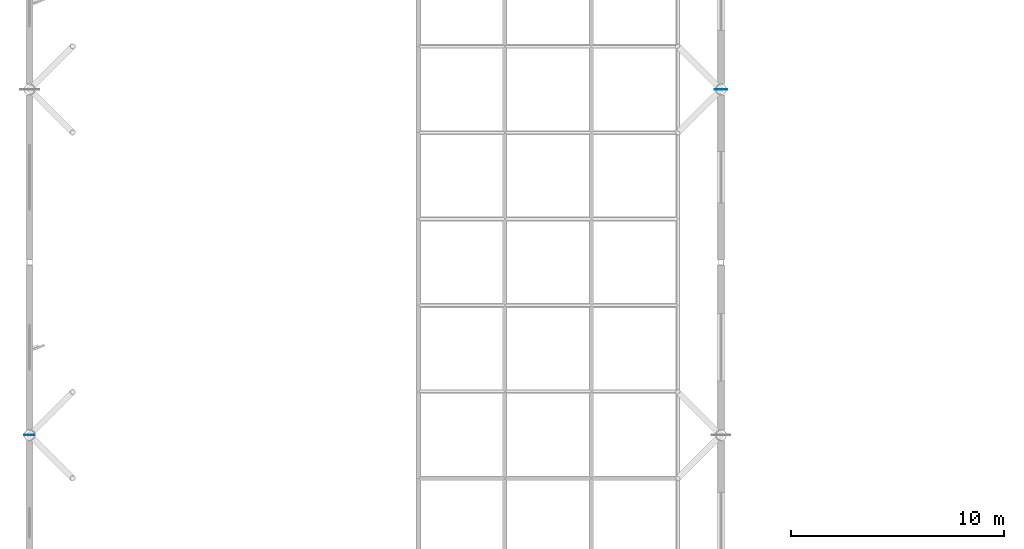
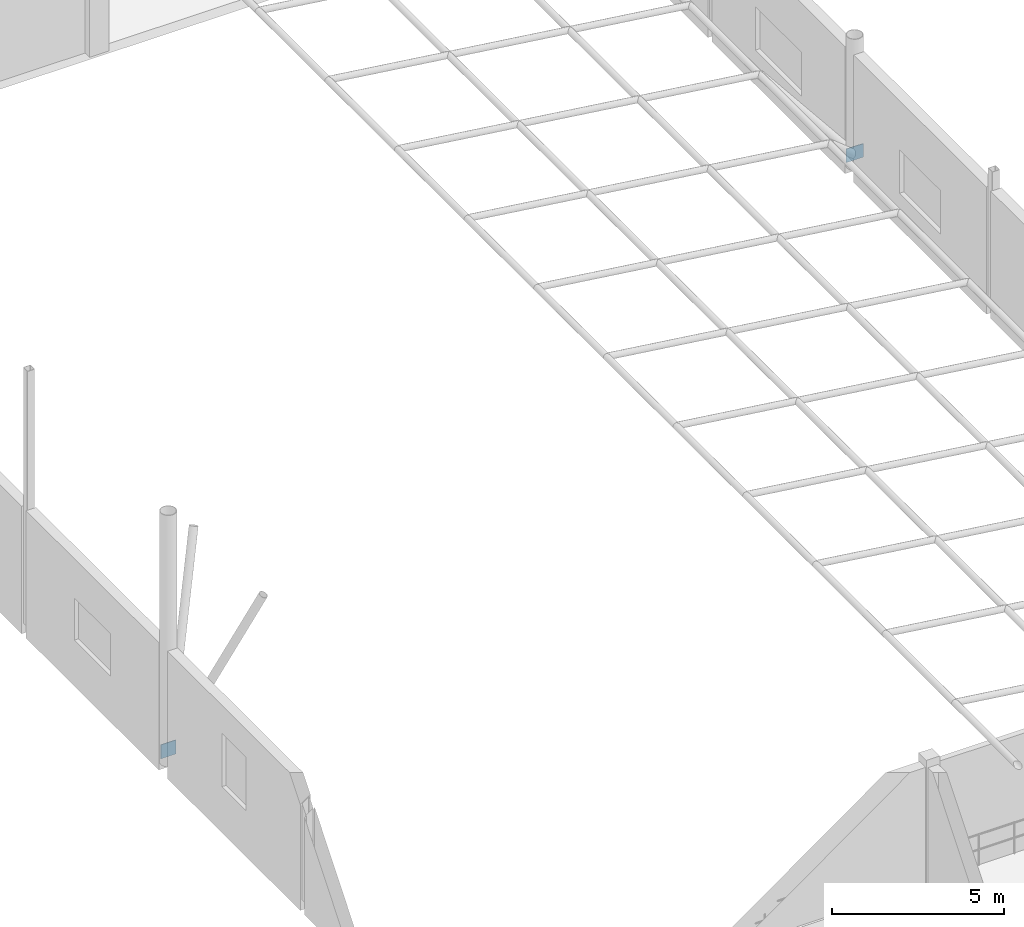
# One storey, part 61 of 89: 2 plates.
"""IFC4 building model written with IfcOpenShell, lengths in metres."""

import ifcopenshell
import ifcopenshell.guid

model = None  # the IFC model being written
_history = None  # IfcOwnerHistory: only IFC2X3 demands one
_inside = {}  # id of a spatial element -> (the spatial element, [elements in it])
_under = {}  # id of a project, library or spatial element -> (it, [spatial elements below it])
_declared = {}  # id of a project -> (the project, [libraries it declares])
_typed = {}  # id of a type object -> (the type object, [elements of that type])
_made_of = {}  # id of a material, layer set ... -> (it, [elements and type objects made of it])


def new_model(schema):
    """Start an empty IFC model of exactly this schema.

    Asked for "IFC4X3", IfcOpenShell would pick the latest addendum, in which some entities
    have other attributes; the version numbers below select the first issue.
    IFC2X3 requires an IfcOwnerHistory on every rooted entity: one is made here for all.
    """
    global model, _history
    if schema == "IFC4X3":
        model = ifcopenshell.file(schema_version=(4, 3, 0, 0))
    else:
        model = ifcopenshell.file(schema=schema)
    _inside.clear()
    _under.clear()
    _declared.clear()
    _typed.clear()
    _made_of.clear()
    _history = None
    if model.schema == "IFC2X3":
        org = make("IfcOrganization", Name="unknown")
        user = make(
            "IfcPersonAndOrganization",
            ThePerson=make("IfcPerson", FamilyName="unknown"),
            TheOrganization=org,
        )
        app = make(
            "IfcApplication",
            ApplicationDeveloper=org,
            Version="unknown",
            ApplicationFullName="unknown",
            ApplicationIdentifier="unknown",
        )
        _history = make(
            "IfcOwnerHistory",
            OwningUser=user,
            OwningApplication=app,
            ChangeAction="ADDED",
            CreationDate=0,
        )
    return model


def make(cls, **values):
    """One entity of the class cls with the attributes given. An attribute that is None is left unset."""
    return model.create_entity(
        cls, **{name: value for name, value in values.items() if value is not None}
    )


def rooted(cls, **values):
    """An entity with a GlobalId (a new one), such as an element, a storey or a relation."""
    return make(cls, GlobalId=ifcopenshell.guid.new(), OwnerHistory=_history, **values)


def si_unit(unit_type, name, prefix=None):
    """IfcSIUnit, for example si_unit("LENGTHUNIT", "METRE", prefix="MILLI")."""
    return make("IfcSIUnit", UnitType=unit_type, Prefix=prefix, Name=name)


def assignment(units):
    """IfcUnitAssignment: the units of a project."""
    return None if units is None else make("IfcUnitAssignment", Units=units)


def point(xyz):
    """IfcCartesianPoint."""
    return None if xyz is None else make("IfcCartesianPoint", Coordinates=xyz)


def direction(xyz):
    """IfcDirection."""
    return None if xyz is None else make("IfcDirection", DirectionRatios=xyz)


def frame(location, z_axis=None, x_axis=None):
    """IfcAxis2Placement3D, a coordinate frame: its origin and axes. An axis left out is left unset."""
    return make(
        "IfcAxis2Placement3D",
        Location=point(location),
        Axis=direction(z_axis),
        RefDirection=direction(x_axis),
    )


def frame_2d(location, x_axis=None):
    """IfcAxis2Placement2D, a coordinate frame in the plane: its origin and x axis."""
    return make(
        "IfcAxis2Placement2D", Location=point(location), RefDirection=direction(x_axis)
    )


def origin():
    """The frame at (0, 0, 0) with its axes left unset."""
    return frame((0.0, 0.0, 0.0))


def origin_2d():
    """The frame at (0, 0) in the plane with its x axis left unset."""
    return frame_2d((0.0, 0.0))


def place(relative_to, where):
    """IfcLocalPlacement: puts the frame where relative to a parent placement (None: the world)."""
    return make(
        "IfcLocalPlacement", PlacementRelTo=relative_to, RelativePlacement=where
    )


def context(
    kind, dimensions, precision=None, world=None, true_north=None, identifier=None
):
    """IfcGeometricRepresentationContext, for example the 3D "Model" context."""
    return make(
        "IfcGeometricRepresentationContext",
        ContextIdentifier=identifier,
        ContextType=kind,
        CoordinateSpaceDimension=dimensions,
        Precision=precision,
        WorldCoordinateSystem=world,
        TrueNorth=true_north,
    )


def subcontext(parent, identifier, kind, view, scale=None):
    """IfcGeometricRepresentationSubContext, for example "Body" below "Model"."""
    return make(
        "IfcGeometricRepresentationSubContext",
        ContextIdentifier=identifier,
        ContextType=kind,
        ParentContext=parent,
        TargetScale=scale,
        TargetView=view,
    )


def project(units=None, contexts=None):
    """IfcProject with its units and contexts."""
    return rooted(
        "IfcProject",
        Name="project",
        RepresentationContexts=contexts,
        UnitsInContext=assignment(units),
    )


def spatial(cls, under=None, at=None, **own):
    """A site, building, storey or space (cls), placed at a placement, below another one or the project."""
    s = rooted(cls, ObjectPlacement=at, **own)
    if under is not None:
        _under.setdefault(under.id(), (under, []))[1].append(s)
    return s


def profile(cls, at=None, kind="AREA", **sizes):
    """A parametric profile (cls). Its sizes go by their IFC names, for example OverallWidth=200.0."""
    return make(cls, ProfileType=kind, Position=at, **sizes)


def rectangle(**sizes):
    """IfcRectangleProfileDef."""
    return profile("IfcRectangleProfileDef", **sizes)


def extrude(swept, where, along, depth):
    """IfcExtrudedAreaSolid: the profile swept, set in the frame where, extruded along a direction by depth."""
    return make(
        "IfcExtrudedAreaSolid",
        SweptArea=swept,
        Position=where,
        ExtrudedDirection=direction(along),
        Depth=depth,
    )


def shape(context_of_items, identifier, shape_type, items):
    """IfcShapeRepresentation: the items that make up one representation, for example the "Body"."""
    return make(
        "IfcShapeRepresentation",
        ContextOfItems=context_of_items,
        RepresentationIdentifier=identifier,
        RepresentationType=shape_type,
        Items=items,
    )


def material(Name=None, Category=None):
    """IfcMaterial."""
    return make("IfcMaterial", Name=Name, Category=Category)


def layer(
    of_material, thickness, ventilated=None, Name=None, Category=None, Priority=None
):
    """IfcMaterialLayer: one layer of a wall or slab, of a material (None: an air gap)."""
    return make(
        "IfcMaterialLayer",
        Material=of_material,
        LayerThickness=thickness,
        IsVentilated=ventilated,
        Name=Name,
        Category=Category,
        Priority=Priority,
    )


def layer_set(layers, Name=None):
    """IfcMaterialLayerSet."""
    return make("IfcMaterialLayerSet", MaterialLayers=layers, LayerSetName=Name)


def made_of(thing, what):
    """Note that an element or type object is made of a material, layer set ...; save() writes the relation."""
    if what is not None:
        _made_of.setdefault(what.id(), (what, []))[1].append(thing)
    return thing


def type_object(cls, material=None, **own):
    """A type object (cls), such as IfcWallType, which elements share."""
    return made_of(rooted(cls, **own), material)


def element(
    cls,
    number,
    at=None,
    inside=None,
    cuts=None,
    type_object=None,
    material=None,
    context=None,
    identifier="Body",
    shape_type=None,
    held_by="IfcProductDefinitionShape",
    body=None,
    shapes=None,
    **own,
):
    """One element of the class cls, such as IfcWall. Its Tag is "e" and its number.

    at: its placement. inside: the storey or other place that contains it. cuts: it is an
    opening in that element (IfcRelVoidsElement). A single representation is given by context,
    identifier, shape_type and body (its items); several are given by shapes. held_by: the class
    of the entity that holds the representations. save() writes the other relations.
    """
    e = rooted(cls, Tag="e%d" % number, ObjectPlacement=at, **own)
    if body is not None:
        shapes = [shape(context, identifier, shape_type, body)]
    if shapes is not None:
        e.Representation = make(held_by, Representations=shapes)
    if inside is not None:
        _inside.setdefault(inside.id(), (inside, []))[1].append(e)
    if cuts is not None:
        rooted(
            "IfcRelVoidsElement", RelatingBuildingElement=cuts, RelatedOpeningElement=e
        )
    if type_object is not None:
        _typed.setdefault(type_object.id(), (type_object, []))[1].append(e)
    return made_of(e, material)


def aggregate(whole, parts):
    """IfcRelAggregates: a whole, such as a stair, and the parts it consists of."""
    return rooted("IfcRelAggregates", RelatingObject=whole, RelatedObjects=parts)


def save(model, path):
    """Write the relations noted so far, then the file.

    IfcRelAggregates (storeys below a building ...), IfcRelContainedInSpatialStructure (elements
    in a storey), IfcRelDefinesByType, IfcRelAssociatesMaterial and IfcRelDeclares: one each for
    every whole, place, type object, material and project.
    """
    for whole, parts in _under.values():
        aggregate(whole, parts)
    for where, things in _inside.values():
        rooted(
            "IfcRelContainedInSpatialStructure",
            RelatedElements=things,
            RelatingStructure=where,
        )
    for kind, things in _typed.values():
        rooted("IfcRelDefinesByType", RelatedObjects=things, RelatingType=kind)
    for what, things in _made_of.values():
        rooted("IfcRelAssociatesMaterial", RelatedObjects=things, RelatingMaterial=what)
    for by, libraries in _declared.values():
        rooted("IfcRelDeclares", RelatingContext=by, RelatedDefinitions=libraries)
    model.write(path)


model = new_model("IFC4")

# Units and contexts
model_context = context("Model", 3, precision=1e-05, world=origin(), true_north=direction((0.0, 1.0)))
body_context = subcontext(model_context, "Body", "Model", "MODEL_VIEW")
ifc_project = project(units=[si_unit("LENGTHUNIT", "METRE"), si_unit("AREAUNIT", "SQUARE_METRE"), si_unit("VOLUMEUNIT", "CUBIC_METRE"), si_unit("PLANEANGLEUNIT", "RADIAN"), si_unit("MASSUNIT", "GRAM", prefix="KILO")], contexts=[model_context])

# Site, building, storey
site_placement = place(None, origin())
site = spatial("IfcSite", under=ifc_project, at=site_placement, CompositionType="ELEMENT")
building_placement = place(site_placement, origin())
building = spatial("IfcBuilding", under=site, at=building_placement, Name="Vaudrelin Polytechnic", CompositionType="ELEMENT")
storey_placement = place(building_placement, frame((0.0, 0.0, 9.68994140625)))
storey = spatial("IfcBuildingStorey", under=building, at=storey_placement, Name="L02", CompositionType="ELEMENT", Elevation=9.68994140625)

# Plates
ifc_material = material(Name="Steel CSA G40.21 350WT", Category="steel")
ifc_layer_1 = layer(ifc_material, 0.02001953125)
ifc_layer_set_1 = layer_set([ifc_layer_1], Name="Steel CSA G40.21 350WT")
plate_type_1 = type_object("IfcPlateType", Name="PLT-GP-03", PredefinedType="USERDEFINED", material=ifc_layer_set_1)
plate_1_placement = place(storey_placement, frame((0.0, 64.800048828125, 0.199951171875), z_axis=(0.0, 0.0, 1.0), x_axis=(1.0, 0.0, 0.0)))
element("IfcPlate", 1, at=plate_1_placement, inside=storey, type_object=plate_type_1, Name="Space frame tree capital gusset plate GP-02", ObjectType="GUSSET PLATE", PredefinedType="USERDEFINED", context=body_context, shape_type="SweptSolid", body=[
    extrude(rectangle(XDim=0.5, YDim=0.02001953125, at=origin_2d()), origin(), (0.0, 0.0, 1.0), 0.5),
])
ifc_layer_2 = layer(ifc_material, 0.02197265625)
ifc_layer_set_2 = layer_set([ifc_layer_2], Name="Steel CSA G40.21 350WT")
plate_type_2 = type_object("IfcPlateType", Name="PLT-GP-07", PredefinedType="USERDEFINED", material=ifc_layer_set_2)
plate_2_placement = place(storey_placement, frame((32.39990234375, 81.0, 0.2099609375), z_axis=(0.0, 0.0, 1.0), x_axis=(1.0, 0.0, 0.0)))
element("IfcPlate", 2, at=plate_2_placement, inside=storey, type_object=plate_type_2, Name="Space frame tree capital gusset plate GP-06", ObjectType="GUSSET PLATE", PredefinedType="USERDEFINED", context=body_context, shape_type="SweptSolid", body=[
    extrude(rectangle(XDim=0.580078125, YDim=0.02197265625, at=origin_2d()), origin(), (0.0, 0.0, 1.0), 0.47998046875),
])

save(model, "model.ifc")
